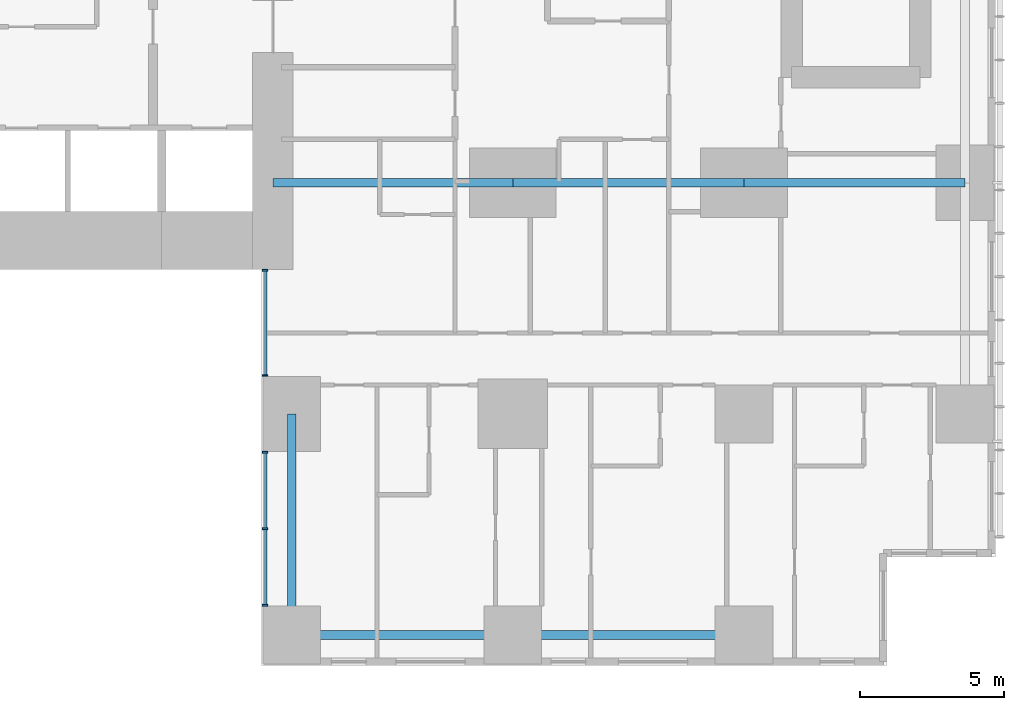
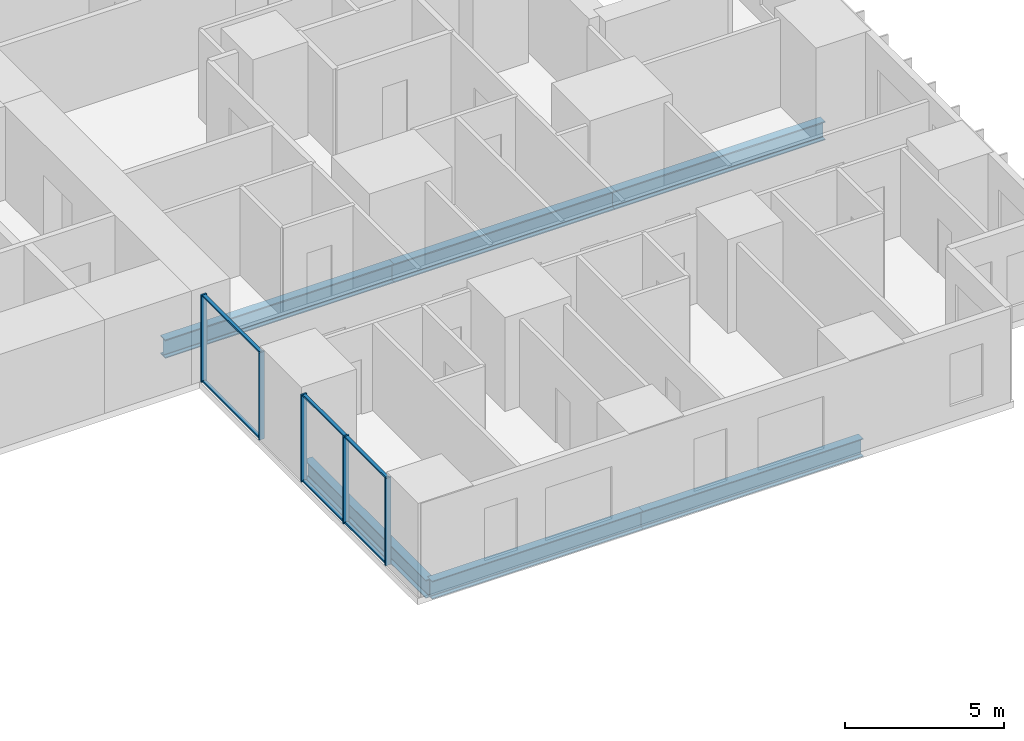
# One storey, part 3 of 20: 11 members, 6 beams, 2 elements without a shape of their own.
"""IFC4 building model written with IfcOpenShell, lengths in metres."""

from ifc_helpers import new_model, si_unit, direction, frame, origin, origin_2d, place, context, subcontext, project, spatial, rectangle, i_section, extrude, material, layer, layer_set, material_profile, profile_set, type_object, element, aggregate, save


model = new_model("IFC4")

# Units and contexts
model_context = context("Model", 3, precision=1e-05, world=origin(), true_north=direction((0.0, 1.0)))
body_context = subcontext(model_context, "Body", "Model", "MODEL_VIEW")
ifc_project = project(units=[si_unit("LENGTHUNIT", "METRE"), si_unit("AREAUNIT", "SQUARE_METRE"), si_unit("VOLUMEUNIT", "CUBIC_METRE"), si_unit("PLANEANGLEUNIT", "RADIAN"), si_unit("MASSUNIT", "GRAM", prefix="KILO")], contexts=[model_context])

# Site, building, storey
site_placement = place(None, origin())
site = spatial("IfcSite", under=ifc_project, at=site_placement, CompositionType="ELEMENT")
building_placement = place(site_placement, origin())
building = spatial("IfcBuilding", under=site, at=building_placement, Name="Cleftline Residences", CompositionType="ELEMENT")
storey_placement = place(building_placement, frame((0.0, 0.0, 47.60009765625)))
storey = spatial("IfcBuildingStorey", under=building, at=storey_placement, Name="L11", CompositionType="ELEMENT", Elevation=47.60009765625)

# Beams
ifc_material_1 = material(Name="Steel S355", Category="steel")
ifc_material_profile_1 = material_profile(ifc_material_1, i_section(OverallWidth=0.300048828125, OverallDepth=0.699951171875, WebThickness=0.01708984375, FlangeThickness=0.031982421875, FilletRadius=0.027099609375, at=origin_2d()))
ifc_profile_set_1 = profile_set([ifc_material_profile_1], Name="Steel S355")
beam_type_1 = type_object("IfcBeamType", Name="BEAM HEB 700", PredefinedType="BEAM", material=ifc_profile_set_1)
beam_1_placement = place(storey_placement, frame((58.0, 0.35009765625, -0.60009765625), z_axis=(-1.0, 0.0, 0.0), x_axis=(0.0, -1.0, 0.0)))
element("IfcBeam", 1, at=beam_1_placement, inside=storey, type_object=beam_type_1, Name="Edge beam", PredefinedType="BEAM", context=body_context, shape_type="SweptSolid", body=[
    extrude(i_section(OverallWidth=0.300048828125, OverallDepth=0.699951171875, WebThickness=0.01708984375, FlangeThickness=0.031982421875, FilletRadius=0.027099609375, at=origin_2d()), origin(), (0.0, 0.0, 1.0), 8.0),
])
for number, where, z_axis, x_axis, name in (
    (2, (50.0, 0.35009765625, -0.60009765625), (-1.0, 0.0, 0.0), (0.0, -1.0, 0.0), "Edge beam"),
    (3, (42.35009765625, 0.35009765625, -0.60009765625), (0.0, 1.0, 0.0), (-1.0, 0.0, 0.0), "Edge beam"),
):
    element("IfcBeam", number, at=place(storey_placement, frame(where, z_axis=z_axis, x_axis=x_axis)), inside=storey, type_object=beam_type_1, Name=name, PredefinedType="BEAM", context=body_context, shape_type="SweptSolid", body=[
        extrude(i_section(OverallWidth=0.300048828125, OverallDepth=0.699951171875, WebThickness=0.01708984375, FlangeThickness=0.031982421875, FilletRadius=0.027099609375, at=origin_2d()), origin(), (0.0, 0.0, 1.0), 7.64990234375),
    ])
ifc_material_2 = material(Name="Steel S355", Category="steel")
ifc_material_profile_2 = material_profile(ifc_material_2, i_section(OverallWidth=0.303955078125, OverallDepth=0.716064453125, WebThickness=0.02099609375, FlangeThickness=0.0400390625, FilletRadius=0.027099609375, at=origin_2d()))
ifc_profile_set_2 = profile_set([ifc_material_profile_2], Name="Steel S355")
beam_type_2 = type_object("IfcBeamType", Name="BEAM HEM 700", PredefinedType="BEAM", material=ifc_profile_set_2)
beam_2_placement = place(storey_placement, frame((65.64990234375, 16.0, -0.608154296875), z_axis=(-1.0, 0.0, 0.0), x_axis=(0.0, -1.0, 0.0)))
element("IfcBeam", 4, at=beam_2_placement, inside=storey, type_object=beam_type_2, Name="Band beam", PredefinedType="BEAM", context=body_context, shape_type="SweptSolid", body=[
    extrude(i_section(OverallWidth=0.303955078125, OverallDepth=0.716064453125, WebThickness=0.02099609375, FlangeThickness=0.0400390625, FilletRadius=0.027099609375, at=origin_2d()), origin(), (0.0, 0.0, 1.0), 7.64990234375),
])
beam_3_placement = place(storey_placement, frame((58.0, 16.0, -0.608154296875), z_axis=(-1.0, 0.0, 0.0), x_axis=(0.0, -1.0, 0.0)))
element("IfcBeam", 5, at=beam_3_placement, inside=storey, type_object=beam_type_2, Name="Band beam", PredefinedType="BEAM", context=body_context, shape_type="SweptSolid", body=[
    extrude(i_section(OverallWidth=0.303955078125, OverallDepth=0.716064453125, WebThickness=0.02099609375, FlangeThickness=0.0400390625, FilletRadius=0.027099609375, at=origin_2d()), origin(), (0.0, 0.0, 1.0), 8.0),
])
beam_4_placement = place(storey_placement, frame((50.0, 16.0, -0.608154296875), z_axis=(-1.0, 0.0, 0.0), x_axis=(0.0, -1.0, 0.0)))
element("IfcBeam", 6, at=beam_4_placement, inside=storey, type_object=beam_type_2, Name="Band beam", PredefinedType="BEAM", context=body_context, shape_type="SweptSolid", body=[
    extrude(i_section(OverallWidth=0.303955078125, OverallDepth=0.716064453125, WebThickness=0.02099609375, FlangeThickness=0.0400390625, FilletRadius=0.027099609375, at=origin_2d()), origin(), (0.0, 0.0, 1.0), 8.300048828125),
])

# Curtain wall, members
ifc_material_3 = material(Name="Aluminium framed curtain wall", Category="aluminium")
ifc_layer = layer(ifc_material_3, 0.199951171875)
ifc_layer_set = layer_set([ifc_layer], Name="CW1 CLEFT GLAZING")
curtain_wall_type = type_object("IfcCurtainWallType", Name="CW1 CLEFT GLAZING", PredefinedType="NOTDEFINED", material=ifc_layer_set)
curtain_wall_1_placement = place(storey_placement, origin())
curtain_wall_1 = element("IfcCurtainWall", 7, at=curtain_wall_1_placement, inside=storey, type_object=curtain_wall_type, Name="Curtain wall CW1", PredefinedType="NOTDEFINED")
ifc_material_4 = material(Name="Aluminium mullion", Category="aluminium")
ifc_material_profile_3 = material_profile(ifc_material_4, rectangle(XDim=0.199951171875, YDim=0.06005859375, at=origin_2d()))
ifc_profile_set_3 = profile_set([ifc_material_profile_3], Name="Aluminium mullion")
member_type_1 = type_object("IfcMemberType", Name="CW1 MULLION", PredefinedType="MULLION", material=ifc_profile_set_3)
member_1_placement = place(storey_placement, frame((41.425048828125, 12.969970703125, 0.0), z_axis=(0.0, 0.0, 1.0), x_axis=(1.0, 0.0, 0.0)))
member_1 = element("IfcMember", 8, at=member_1_placement, type_object=member_type_1, Name="CW1 mullion 1", PredefinedType="MULLION", context=body_context, shape_type="SweptSolid", body=[
    extrude(rectangle(XDim=0.199951171875, YDim=0.06005859375, at=origin_2d()), origin(), (0.0, 0.0, 1.0), 3.349853515625),
])
member_2_placement = place(storey_placement, frame((41.425048828125, 9.330078125, 0.0), z_axis=(0.0, 0.0, 1.0), x_axis=(1.0, 0.0, 0.0)))
member_2 = element("IfcMember", 9, at=member_2_placement, type_object=member_type_1, Name="CW1 mullion 2", PredefinedType="MULLION", context=body_context, shape_type="SweptSolid", body=[
    extrude(rectangle(XDim=0.199951171875, YDim=0.06005859375, at=origin_2d()), origin(), (0.0, 0.0, 1.0), 3.349853515625),
])

curtain_wall_2_placement = place(storey_placement, origin())
curtain_wall_2 = element("IfcCurtainWall", 10, at=curtain_wall_2_placement, inside=storey, type_object=curtain_wall_type, Name="Curtain wall CW1", PredefinedType="NOTDEFINED")
member_3_placement = place(storey_placement, frame((41.425048828125, 6.669921875, 0.0), z_axis=(0.0, 0.0, 1.0), x_axis=(1.0, 0.0, 0.0)))
member_3 = element("IfcMember", 11, at=member_3_placement, type_object=member_type_1, Name="CW1 mullion 1", PredefinedType="MULLION", context=body_context, shape_type="SweptSolid", body=[
    extrude(rectangle(XDim=0.199951171875, YDim=0.06005859375, at=origin_2d()), origin(), (0.0, 0.0, 1.0), 3.349853515625),
])
member_4_placement = place(storey_placement, frame((41.425048828125, 4.02490234375, 0.0), z_axis=(0.0, 0.0, 1.0), x_axis=(1.0, 0.0, 0.0)))
member_4 = element("IfcMember", 12, at=member_4_placement, type_object=member_type_1, Name="CW1 mullion 2", PredefinedType="MULLION", context=body_context, shape_type="SweptSolid", body=[
    extrude(rectangle(XDim=0.199951171875, YDim=0.06005859375, at=origin_2d()), origin(), (0.0, 0.0, 1.0), 3.349853515625),
])
member_5_placement = place(storey_placement, frame((41.425048828125, 1.3798828125, 0.0), z_axis=(0.0, 0.0, 1.0), x_axis=(1.0, 0.0, 0.0)))
member_5 = element("IfcMember", 13, at=member_5_placement, type_object=member_type_1, Name="CW1 mullion 3", PredefinedType="MULLION", context=body_context, shape_type="SweptSolid", body=[
    extrude(rectangle(XDim=0.199951171875, YDim=0.06005859375, at=origin_2d()), origin(), (0.0, 0.0, 1.0), 3.349853515625),
])

# Member
ifc_material_5 = material(Name="Aluminium transom", Category="aluminium")
ifc_material_profile_4 = material_profile(ifc_material_5, rectangle(XDim=0.1201171875, YDim=0.06005859375, at=origin_2d()))
ifc_profile_set_4 = profile_set([ifc_material_profile_4], Name="Aluminium transom")
member_type_2 = type_object("IfcMemberType", Name="CW1 TRANSOM", PredefinedType="USERDEFINED", material=ifc_profile_set_4)
member_6_placement = place(storey_placement, frame((41.425048828125, 12.93994140625, 0.02978515625), z_axis=(0.0, -1.0, 0.0), x_axis=(1.0, 0.0, 0.0)))
member_6 = element("IfcMember", 14, at=member_6_placement, type_object=member_type_2, Name="CW1 transom 1.1", ObjectType="TRANSOM", PredefinedType="USERDEFINED", context=body_context, shape_type="SweptSolid", body=[
    extrude(rectangle(XDim=0.1201171875, YDim=0.06005859375, at=origin_2d()), origin(), (0.0, 0.0, 1.0), 3.579833984375),
])

member_7_placement = place(storey_placement, frame((41.425048828125, 12.93994140625, 3.31982421875), z_axis=(0.0, -1.0, 0.0), x_axis=(1.0, 0.0, 0.0)))
member_7 = element("IfcMember", 15, at=member_7_placement, type_object=member_type_2, Name="CW1 transom 1.2", ObjectType="TRANSOM", PredefinedType="USERDEFINED", context=body_context, shape_type="SweptSolid", body=[
    extrude(rectangle(XDim=0.1201171875, YDim=0.06005859375, at=origin_2d()), origin(), (0.0, 0.0, 1.0), 3.579833984375),
])

aggregate(curtain_wall_1, [member_1, member_2, member_6, member_7])

member_8_placement = place(storey_placement, frame((41.425048828125, 6.639892578125, 0.02978515625), z_axis=(0.0, -1.0, 0.0), x_axis=(1.0, 0.0, 0.0)))
member_8 = element("IfcMember", 16, at=member_8_placement, type_object=member_type_2, Name="CW1 transom 1.1", ObjectType="TRANSOM", PredefinedType="USERDEFINED", context=body_context, shape_type="SweptSolid", body=[
    extrude(rectangle(XDim=0.1201171875, YDim=0.06005859375, at=origin_2d()), origin(), (0.0, 0.0, 1.0), 2.5849609375),
])

member_9_placement = place(storey_placement, frame((41.425048828125, 6.639892578125, 3.31982421875), z_axis=(0.0, -1.0, 0.0), x_axis=(1.0, 0.0, 0.0)))
member_9 = element("IfcMember", 17, at=member_9_placement, type_object=member_type_2, Name="CW1 transom 1.2", ObjectType="TRANSOM", PredefinedType="USERDEFINED", context=body_context, shape_type="SweptSolid", body=[
    extrude(rectangle(XDim=0.1201171875, YDim=0.06005859375, at=origin_2d()), origin(), (0.0, 0.0, 1.0), 2.5849609375),
])

member_10_placement = place(storey_placement, frame((41.425048828125, 3.9951171875, 0.02978515625), z_axis=(0.0, -1.0, 0.0), x_axis=(1.0, 0.0, 0.0)))
member_10 = element("IfcMember", 18, at=member_10_placement, type_object=member_type_2, Name="CW1 transom 2.1", ObjectType="TRANSOM", PredefinedType="USERDEFINED", context=body_context, shape_type="SweptSolid", body=[
    extrude(rectangle(XDim=0.1201171875, YDim=0.06005859375, at=origin_2d()), origin(), (0.0, 0.0, 1.0), 2.585205078125),
])

member_11_placement = place(storey_placement, frame((41.425048828125, 3.9951171875, 3.31982421875), z_axis=(0.0, -1.0, 0.0), x_axis=(1.0, 0.0, 0.0)))
member_11 = element("IfcMember", 19, at=member_11_placement, type_object=member_type_2, Name="CW1 transom 2.2", ObjectType="TRANSOM", PredefinedType="USERDEFINED", context=body_context, shape_type="SweptSolid", body=[
    extrude(rectangle(XDim=0.1201171875, YDim=0.06005859375, at=origin_2d()), origin(), (0.0, 0.0, 1.0), 2.585205078125),
])

aggregate(curtain_wall_2, [member_3, member_4, member_5, member_8, member_9, member_10, member_11])

save(model, "model.ifc")
